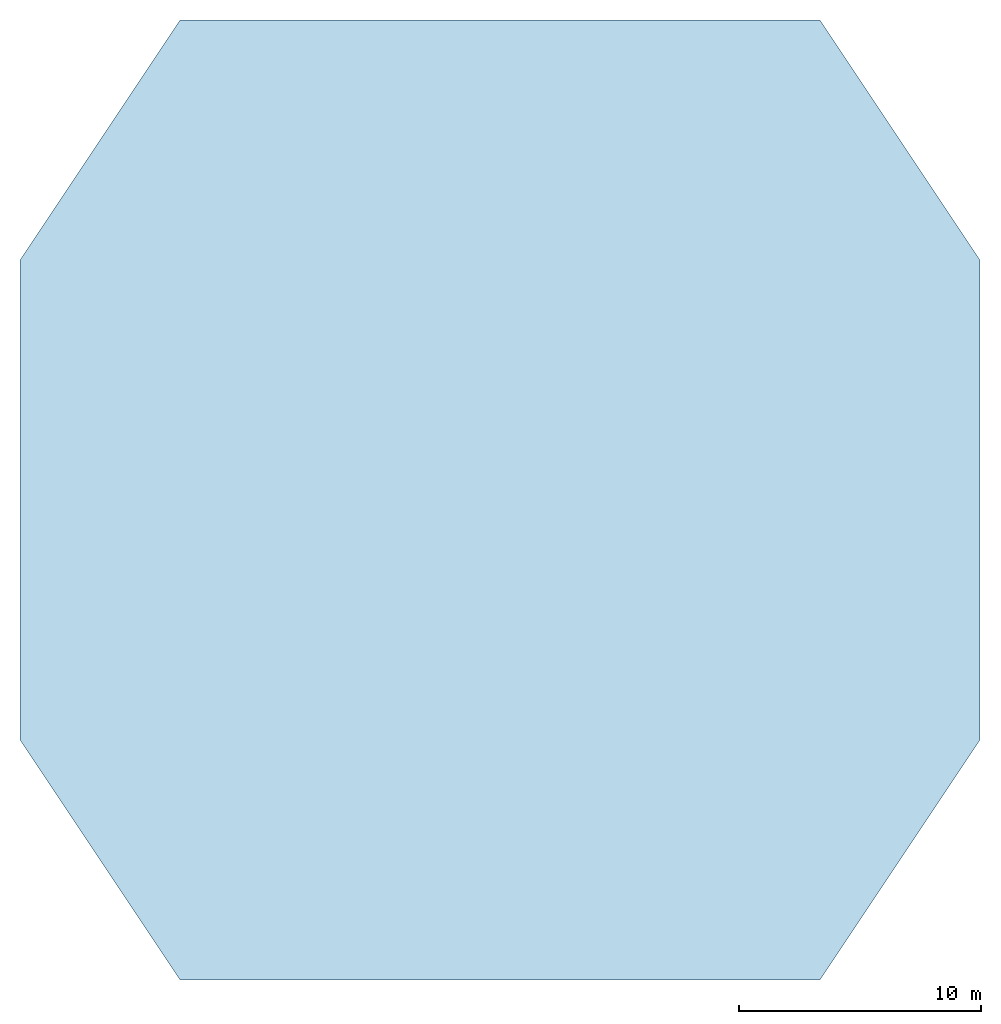
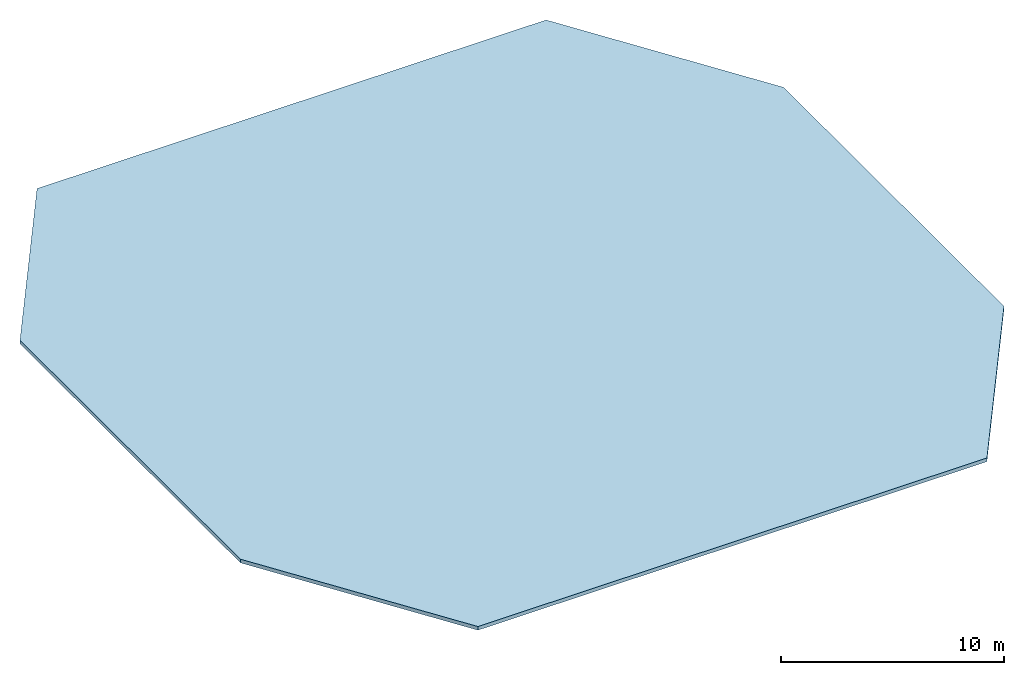
# One storey: 1 slab.
"""IFC4 building model written with IfcOpenShell, lengths in metres."""

from ifc_helpers import new_model, si_unit, direction, frame, origin, place, context, subcontext, project, spatial, polyline, outline, extrude, material, layer, layer_set, type_object, element, save


model = new_model("IFC4")

# Units and contexts
model_context = context("Model", 3, precision=1e-05, world=origin(), true_north=direction((0.0, 1.0)))
body_context = subcontext(model_context, "Body", "Model", "MODEL_VIEW")
ifc_project = project(units=[si_unit("LENGTHUNIT", "METRE"), si_unit("AREAUNIT", "SQUARE_METRE"), si_unit("VOLUMEUNIT", "CUBIC_METRE"), si_unit("PLANEANGLEUNIT", "RADIAN"), si_unit("MASSUNIT", "GRAM", prefix="KILO")], contexts=[model_context])

# Site, building, storey
site_placement = place(None, origin())
site = spatial("IfcSite", under=ifc_project, at=site_placement, CompositionType="ELEMENT")
building_placement = place(site_placement, origin())
building = spatial("IfcBuilding", under=site, at=building_placement, Name="Cobogo Forest Laboratory Tower", CompositionType="ELEMENT")
storey_placement = place(building_placement, frame((0.0, 0.0, 299.699951171875)))
storey = spatial("IfcBuildingStorey", under=building, at=storey_placement, Name="ROOF", CompositionType="ELEMENT", Elevation=299.699951171875)

# Slab
ifc_material = material(Name="Concrete HA-40 (C40/50)", Category="concrete")
ifc_layer = layer(ifc_material, 0.199951171875)
ifc_layer_set = layer_set([ifc_layer], Name="Crown frame roof deck 200 composite")
slab_type = type_object("IfcSlabType", Name="Crown frame roof deck 200 composite", PredefinedType="ROOF", material=ifc_layer_set)
slab_placement = place(storey_placement, origin())
element("IfcSlab", 1, at=slab_placement, inside=storey, type_object=slab_type, Name="Crown canopy deck", PredefinedType="ROOF", context=body_context, shape_type="SweptSolid", body=[
    extrude(outline(polyline([(13.199951171875, 3.300048828125), (39.60009765625, 3.300048828125), (46.199951171875, 13.199951171875), (46.199951171875, 33.0), (39.60009765625, 42.89990234375), (13.199951171875, 42.89990234375), (6.60009765625, 33.0), (6.60009765625, 13.199951171875), (13.199951171875, 3.300048828125)])), origin(), (0.0, 0.0, 1.0), 0.199951171875),
])

save(model, "model.ifc")
